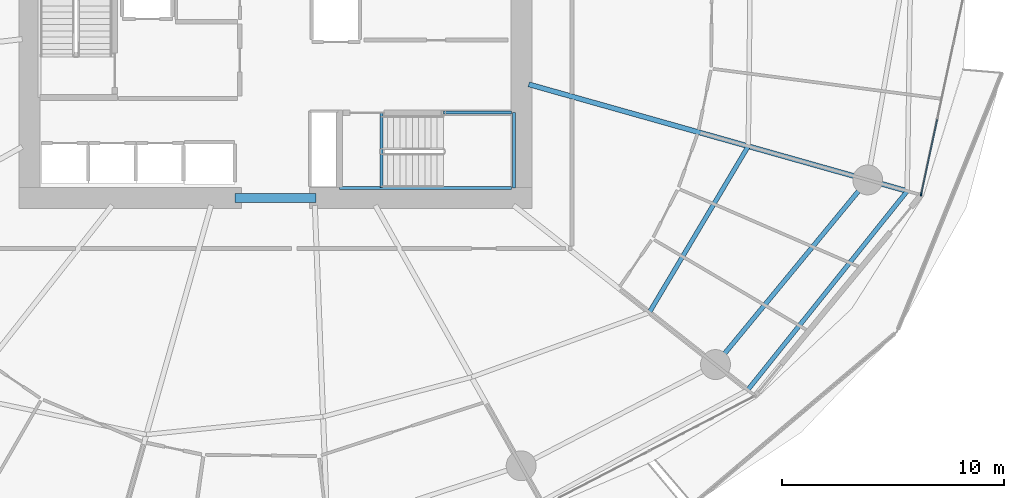
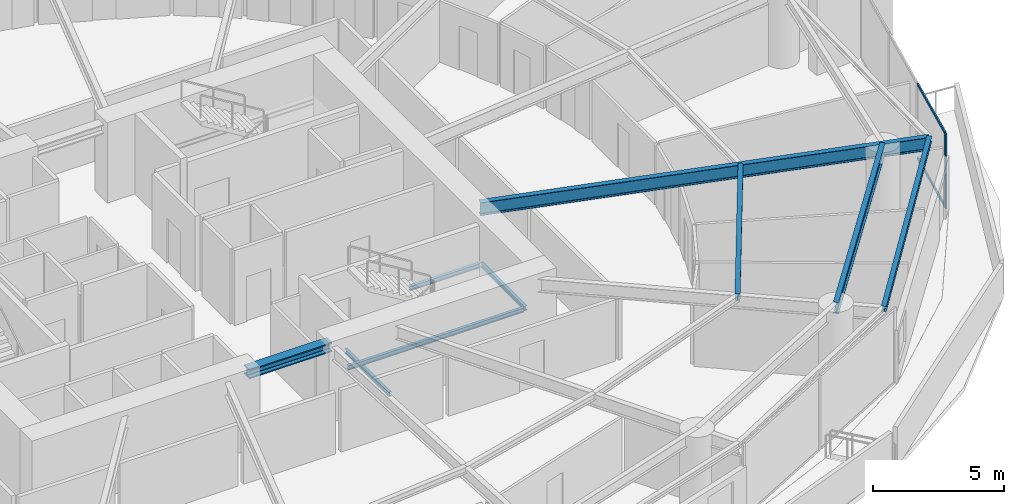
# One storey, part 10 of 31: 9 beams, 3 members, 1 element without a shape of its own.
"""IFC4 building model written with IfcOpenShell, lengths in metres."""

import ifcopenshell
import ifcopenshell.guid

model = None  # the IFC model being written
_history = None  # IfcOwnerHistory: only IFC2X3 demands one
_inside = {}  # id of a spatial element -> (the spatial element, [elements in it])
_under = {}  # id of a project, library or spatial element -> (it, [spatial elements below it])
_declared = {}  # id of a project -> (the project, [libraries it declares])
_typed = {}  # id of a type object -> (the type object, [elements of that type])
_made_of = {}  # id of a material, layer set ... -> (it, [elements and type objects made of it])


def new_model(schema):
    """Start an empty IFC model of exactly this schema.

    Asked for "IFC4X3", IfcOpenShell would pick the latest addendum, in which some entities
    have other attributes; the version numbers below select the first issue.
    IFC2X3 requires an IfcOwnerHistory on every rooted entity: one is made here for all.
    """
    global model, _history
    if schema == "IFC4X3":
        model = ifcopenshell.file(schema_version=(4, 3, 0, 0))
    else:
        model = ifcopenshell.file(schema=schema)
    _inside.clear()
    _under.clear()
    _declared.clear()
    _typed.clear()
    _made_of.clear()
    _history = None
    if model.schema == "IFC2X3":
        org = make("IfcOrganization", Name="unknown")
        user = make(
            "IfcPersonAndOrganization",
            ThePerson=make("IfcPerson", FamilyName="unknown"),
            TheOrganization=org,
        )
        app = make(
            "IfcApplication",
            ApplicationDeveloper=org,
            Version="unknown",
            ApplicationFullName="unknown",
            ApplicationIdentifier="unknown",
        )
        _history = make(
            "IfcOwnerHistory",
            OwningUser=user,
            OwningApplication=app,
            ChangeAction="ADDED",
            CreationDate=0,
        )
    return model


def make(cls, **values):
    """One entity of the class cls with the attributes given. An attribute that is None is left unset."""
    return model.create_entity(
        cls, **{name: value for name, value in values.items() if value is not None}
    )


def rooted(cls, **values):
    """An entity with a GlobalId (a new one), such as an element, a storey or a relation."""
    return make(cls, GlobalId=ifcopenshell.guid.new(), OwnerHistory=_history, **values)


def si_unit(unit_type, name, prefix=None):
    """IfcSIUnit, for example si_unit("LENGTHUNIT", "METRE", prefix="MILLI")."""
    return make("IfcSIUnit", UnitType=unit_type, Prefix=prefix, Name=name)


def assignment(units):
    """IfcUnitAssignment: the units of a project."""
    return None if units is None else make("IfcUnitAssignment", Units=units)


def point(xyz):
    """IfcCartesianPoint."""
    return None if xyz is None else make("IfcCartesianPoint", Coordinates=xyz)


def direction(xyz):
    """IfcDirection."""
    return None if xyz is None else make("IfcDirection", DirectionRatios=xyz)


def frame(location, z_axis=None, x_axis=None):
    """IfcAxis2Placement3D, a coordinate frame: its origin and axes. An axis left out is left unset."""
    return make(
        "IfcAxis2Placement3D",
        Location=point(location),
        Axis=direction(z_axis),
        RefDirection=direction(x_axis),
    )


def frame_2d(location, x_axis=None):
    """IfcAxis2Placement2D, a coordinate frame in the plane: its origin and x axis."""
    return make(
        "IfcAxis2Placement2D", Location=point(location), RefDirection=direction(x_axis)
    )


def origin():
    """The frame at (0, 0, 0) with its axes left unset."""
    return frame((0.0, 0.0, 0.0))


def origin_2d():
    """The frame at (0, 0) in the plane with its x axis left unset."""
    return frame_2d((0.0, 0.0))


def place(relative_to, where):
    """IfcLocalPlacement: puts the frame where relative to a parent placement (None: the world)."""
    return make(
        "IfcLocalPlacement", PlacementRelTo=relative_to, RelativePlacement=where
    )


def context(
    kind, dimensions, precision=None, world=None, true_north=None, identifier=None
):
    """IfcGeometricRepresentationContext, for example the 3D "Model" context."""
    return make(
        "IfcGeometricRepresentationContext",
        ContextIdentifier=identifier,
        ContextType=kind,
        CoordinateSpaceDimension=dimensions,
        Precision=precision,
        WorldCoordinateSystem=world,
        TrueNorth=true_north,
    )


def subcontext(parent, identifier, kind, view, scale=None):
    """IfcGeometricRepresentationSubContext, for example "Body" below "Model"."""
    return make(
        "IfcGeometricRepresentationSubContext",
        ContextIdentifier=identifier,
        ContextType=kind,
        ParentContext=parent,
        TargetScale=scale,
        TargetView=view,
    )


def project(units=None, contexts=None):
    """IfcProject with its units and contexts."""
    return rooted(
        "IfcProject",
        Name="project",
        RepresentationContexts=contexts,
        UnitsInContext=assignment(units),
    )


def spatial(cls, under=None, at=None, **own):
    """A site, building, storey or space (cls), placed at a placement, below another one or the project."""
    s = rooted(cls, ObjectPlacement=at, **own)
    if under is not None:
        _under.setdefault(under.id(), (under, []))[1].append(s)
    return s


def profile(cls, at=None, kind="AREA", **sizes):
    """A parametric profile (cls). Its sizes go by their IFC names, for example OverallWidth=200.0."""
    return make(cls, ProfileType=kind, Position=at, **sizes)


def rectangle(**sizes):
    """IfcRectangleProfileDef."""
    return profile("IfcRectangleProfileDef", **sizes)


def i_section(**sizes):
    """IfcIShapeProfileDef."""
    return profile("IfcIShapeProfileDef", **sizes)


def extrude(swept, where, along, depth):
    """IfcExtrudedAreaSolid: the profile swept, set in the frame where, extruded along a direction by depth."""
    return make(
        "IfcExtrudedAreaSolid",
        SweptArea=swept,
        Position=where,
        ExtrudedDirection=direction(along),
        Depth=depth,
    )


def shape(context_of_items, identifier, shape_type, items):
    """IfcShapeRepresentation: the items that make up one representation, for example the "Body"."""
    return make(
        "IfcShapeRepresentation",
        ContextOfItems=context_of_items,
        RepresentationIdentifier=identifier,
        RepresentationType=shape_type,
        Items=items,
    )


def material(Name=None, Category=None):
    """IfcMaterial."""
    return make("IfcMaterial", Name=Name, Category=Category)


def layer(
    of_material, thickness, ventilated=None, Name=None, Category=None, Priority=None
):
    """IfcMaterialLayer: one layer of a wall or slab, of a material (None: an air gap)."""
    return make(
        "IfcMaterialLayer",
        Material=of_material,
        LayerThickness=thickness,
        IsVentilated=ventilated,
        Name=Name,
        Category=Category,
        Priority=Priority,
    )


def layer_set(layers, Name=None):
    """IfcMaterialLayerSet."""
    return make("IfcMaterialLayerSet", MaterialLayers=layers, LayerSetName=Name)


def material_profile(
    of_material, cross_section, Name=None, Category=None, Priority=None
):
    """IfcMaterialProfile: a cross section and its material."""
    return make(
        "IfcMaterialProfile",
        Name=Name,
        Material=of_material,
        Profile=cross_section,
        Priority=Priority,
        Category=Category,
    )


def profile_set(profiles, Name=None, composite=None):
    """IfcMaterialProfileSet."""
    return make(
        "IfcMaterialProfileSet",
        Name=Name,
        MaterialProfiles=profiles,
        CompositeProfile=composite,
    )


def made_of(thing, what):
    """Note that an element or type object is made of a material, layer set ...; save() writes the relation."""
    if what is not None:
        _made_of.setdefault(what.id(), (what, []))[1].append(thing)
    return thing


def type_object(cls, material=None, **own):
    """A type object (cls), such as IfcWallType, which elements share."""
    return made_of(rooted(cls, **own), material)


def element(
    cls,
    number,
    at=None,
    inside=None,
    cuts=None,
    type_object=None,
    material=None,
    context=None,
    identifier="Body",
    shape_type=None,
    held_by="IfcProductDefinitionShape",
    body=None,
    shapes=None,
    **own,
):
    """One element of the class cls, such as IfcWall. Its Tag is "e" and its number.

    at: its placement. inside: the storey or other place that contains it. cuts: it is an
    opening in that element (IfcRelVoidsElement). A single representation is given by context,
    identifier, shape_type and body (its items); several are given by shapes. held_by: the class
    of the entity that holds the representations. save() writes the other relations.
    """
    e = rooted(cls, Tag="e%d" % number, ObjectPlacement=at, **own)
    if body is not None:
        shapes = [shape(context, identifier, shape_type, body)]
    if shapes is not None:
        e.Representation = make(held_by, Representations=shapes)
    if inside is not None:
        _inside.setdefault(inside.id(), (inside, []))[1].append(e)
    if cuts is not None:
        rooted(
            "IfcRelVoidsElement", RelatingBuildingElement=cuts, RelatedOpeningElement=e
        )
    if type_object is not None:
        _typed.setdefault(type_object.id(), (type_object, []))[1].append(e)
    return made_of(e, material)


def aggregate(whole, parts):
    """IfcRelAggregates: a whole, such as a stair, and the parts it consists of."""
    return rooted("IfcRelAggregates", RelatingObject=whole, RelatedObjects=parts)


def save(model, path):
    """Write the relations noted so far, then the file.

    IfcRelAggregates (storeys below a building ...), IfcRelContainedInSpatialStructure (elements
    in a storey), IfcRelDefinesByType, IfcRelAssociatesMaterial and IfcRelDeclares: one each for
    every whole, place, type object, material and project.
    """
    for whole, parts in _under.values():
        aggregate(whole, parts)
    for where, things in _inside.values():
        rooted(
            "IfcRelContainedInSpatialStructure",
            RelatedElements=things,
            RelatingStructure=where,
        )
    for kind, things in _typed.values():
        rooted("IfcRelDefinesByType", RelatedObjects=things, RelatingType=kind)
    for what, things in _made_of.values():
        rooted("IfcRelAssociatesMaterial", RelatedObjects=things, RelatingMaterial=what)
    for by, libraries in _declared.values():
        rooted("IfcRelDeclares", RelatingContext=by, RelatedDefinitions=libraries)
    model.write(path)


model = new_model("IFC4")

# Units and contexts
model_context = context("Model", 3, precision=1e-05, world=origin(), true_north=direction((0.0, 1.0)))
body_context = subcontext(model_context, "Body", "Model", "MODEL_VIEW")
ifc_project = project(units=[si_unit("LENGTHUNIT", "METRE"), si_unit("AREAUNIT", "SQUARE_METRE"), si_unit("VOLUMEUNIT", "CUBIC_METRE"), si_unit("PLANEANGLEUNIT", "RADIAN"), si_unit("MASSUNIT", "GRAM", prefix="KILO")], contexts=[model_context])

# Site, building, storey
site_placement = place(None, origin())
site = spatial("IfcSite", under=ifc_project, at=site_placement, CompositionType="ELEMENT")
building_placement = place(site_placement, origin())
building = spatial("IfcBuilding", under=site, at=building_placement, Name="Kazma Halo Residences", CompositionType="ELEMENT")
storey_placement = place(building_placement, frame((0.0, 0.0, 37.64990234375)))
storey = spatial("IfcBuildingStorey", under=building, at=storey_placement, Name="L08", CompositionType="ELEMENT", Elevation=37.64990234375)

# Beams
ifc_material_1 = material(Name="Steel S355", Category="steel")
ifc_material_profile_1 = material_profile(ifc_material_1, i_section(OverallWidth=0.201904296875, OverallDepth=0.2470703125, WebThickness=0.00732421875, FlangeThickness=0.010986328125, FilletRadius=0.011962890625, at=origin_2d()), Name="W250x49.1")
ifc_profile_set_1 = profile_set([ifc_material_profile_1], Name="Steel S355")
beam_type_1 = type_object("IfcBeamType", Name="BM-BAL-CANT", PredefinedType="BEAM", material=ifc_profile_set_1)
beam_1_placement = place(storey_placement, frame((69.728515625, 24.87060546875, 3.376708984375), z_axis=(0.625476617708, 0.780242911343, 0.0), x_axis=(-0.780242911343, 0.625476617708, 0.0)))
element("IfcBeam", 1, at=beam_1_placement, inside=storey, type_object=beam_type_1, Name="L08 wave-balcony tie beam 14", PredefinedType="BEAM", context=body_context, shape_type="SweptSolid", body=[
    extrude(i_section(OverallWidth=0.201904296875, OverallDepth=0.2470703125, WebThickness=0.00732421875, FlangeThickness=0.010986328125, FilletRadius=0.011962890625, at=origin_2d()), origin(), (0.0, 0.0, 1.0), 11.499755859375),
])
ifc_material_profile_2 = material_profile(ifc_material_1, i_section(OverallWidth=0.408935546875, OverallDepth=0.425048828125, WebThickness=0.03271484375, FlangeThickness=0.052490234375, FilletRadius=0.02001953125, at=origin_2d()), Name="W360x421")
ifc_profile_set_2 = profile_set([ifc_material_profile_2], Name="Steel S355")
beam_type_2 = type_object("IfcBeamType", Name="BM-CORE-W360H", PredefinedType="BEAM", material=ifc_profile_set_2)
beam_2_placement = place(storey_placement, frame((46.60009765625, 33.52490234375, 3.28759765625), z_axis=(1.0, 0.0, 0.0), x_axis=(0.0, 1.0, 0.0)))
element("IfcBeam", 2, at=beam_2_placement, inside=storey, type_object=beam_type_2, Name="L08 core coupling beam S", PredefinedType="BEAM", context=body_context, shape_type="SweptSolid", body=[
    extrude(i_section(OverallWidth=0.408935546875, OverallDepth=0.425048828125, WebThickness=0.03271484375, FlangeThickness=0.052490234375, FilletRadius=0.02001953125, at=origin_2d()), origin(), (0.0, 0.0, 1.0), 3.64990234375),
])
ifc_material_profile_3 = material_profile(ifc_material_1, i_section(OverallWidth=0.22802734375, OverallDepth=0.60791015625, WebThickness=0.01123046875, FlangeThickness=0.017333984375, FilletRadius=0.01806640625, at=origin_2d()), Name="W610x113")
ifc_profile_set_3 = profile_set([ifc_material_profile_3], Name="Steel S355")
beam_type_3 = type_object("IfcBeamType", Name="BM-RAD-W610", PredefinedType="BEAM", material=ifc_profile_set_3)
beam_3_placement = place(storey_placement, frame((59.85009765625, 38.657958984375, 3.196044921875), z_axis=(0.962453825278, -0.271445453468, 0.0), x_axis=(0.271445453468, 0.962453825278, 0.0)))
element("IfcBeam", 3, at=beam_3_placement, inside=storey, type_object=beam_type_3, Name="L08 radial floor beam 15", PredefinedType="BEAM", context=body_context, shape_type="SweptSolid", body=[
    extrude(i_section(OverallWidth=0.22802734375, OverallDepth=0.60791015625, WebThickness=0.01123046875, FlangeThickness=0.017333984375, FilletRadius=0.01806640625, at=origin_2d()), origin(), (0.0, 0.0, 1.0), 17.7373046875),
])
ifc_material_profile_4 = material_profile(ifc_material_1, i_section(OverallWidth=0.202880859375, OverallDepth=0.302978515625, WebThickness=0.007568359375, FlangeThickness=0.01318359375, FilletRadius=0.013916015625, at=origin_2d()), Name="W310x60")
ifc_profile_set_4 = profile_set([ifc_material_profile_4], Name="Steel S355")
beam_type_4 = type_object("IfcBeamType", Name="BM-SEC-W310A", PredefinedType="JOIST", material=ifc_profile_set_4)
beam_4_placement = place(storey_placement, frame((65.291015625, 28.368896484375, 3.3486328125), z_axis=(0.511331320511, 0.859383663252, 0.0), x_axis=(-0.859383663252, 0.511331320511, 0.0)))
element("IfcBeam", 4, at=beam_4_placement, inside=storey, type_object=beam_type_4, Name="L08 circumferential floor joist 14", PredefinedType="JOIST", context=body_context, shape_type="SweptSolid", body=[
    extrude(i_section(OverallWidth=0.202880859375, OverallDepth=0.302978515625, WebThickness=0.007568359375, FlangeThickness=0.01318359375, FilletRadius=0.013916015625, at=origin_2d()), origin(), (0.0, 0.0, 1.0), 8.72314453125),
])
ifc_material_profile_5 = material_profile(ifc_material_1, i_section(OverallWidth=0.208984375, OverallDepth=0.532958984375, WebThickness=0.01025390625, FlangeThickness=0.015625, FilletRadius=0.01611328125, at=origin_2d()), Name="W530x92")
ifc_profile_set_5 = profile_set([ifc_material_profile_5], Name="Steel S355")
beam_type_5 = type_object("IfcBeamType", Name="BM-SPN-W530", PredefinedType="BEAM", material=ifc_profile_set_5)
beam_5_placement = place(storey_placement, frame((68.27587890625, 26.015869140625, 3.233642578125), z_axis=(0.636001336663, 0.771687954916, 0.0), x_axis=(-0.771687954916, 0.636001336663, 0.0)))
element("IfcBeam", 5, at=beam_5_placement, inside=storey, type_object=beam_type_5, Name="L08 perimeter ring beam 14", PredefinedType="BEAM", context=body_context, shape_type="SweptSolid", body=[
    extrude(i_section(OverallWidth=0.208984375, OverallDepth=0.532958984375, WebThickness=0.01025390625, FlangeThickness=0.015625, FilletRadius=0.01611328125, at=origin_2d()), origin(), (0.0, 0.0, 1.0), 10.7939453125),
])
ifc_material_profile_6 = material_profile(ifc_material_1, i_section(OverallWidth=0.133056640625, OverallDepth=0.20703125, WebThickness=0.005859375, FlangeThickness=0.00830078125, FilletRadius=0.010009765625, at=origin_2d()), Name="W200x26.6")
ifc_profile_set_6 = profile_set([ifc_material_profile_6], Name="Steel S355")
beam_type_6 = type_object("IfcBeamType", Name="BM-TRIM-W200", PredefinedType="BEAM", material=ifc_profile_set_6)
beam_6_placement = place(storey_placement, frame((53.199951171875, 34.0, -0.35986328125), z_axis=(0.0, 1.0, 0.0), x_axis=(-1.0, 0.0, 0.0)))
element("IfcBeam", 6, at=beam_6_placement, inside=storey, type_object=beam_type_6, Name="L08 ST-03 floor landing support beam", PredefinedType="BEAM", context=body_context, shape_type="SweptSolid", body=[
    extrude(i_section(OverallWidth=0.133056640625, OverallDepth=0.20703125, WebThickness=0.005859375, FlangeThickness=0.00830078125, FilletRadius=0.010009765625, at=origin_2d()), origin(), (0.0, 0.0, 1.0), 3.3798828125),
])
beam_7_placement = place(storey_placement, frame((51.31005859375, 33.97998046875, 1.570068359375), z_axis=(1.0, 0.0, 0.0), x_axis=(0.0, 1.0, 0.0)))
element("IfcBeam", 7, at=beam_7_placement, inside=storey, type_object=beam_type_6, Name="L08 ST-03 landing south wall ledger", PredefinedType="BEAM", context=body_context, shape_type="SweptSolid", body=[
    extrude(i_section(OverallWidth=0.133056640625, OverallDepth=0.20703125, WebThickness=0.005859375, FlangeThickness=0.00830078125, FilletRadius=0.010009765625, at=origin_2d()), origin(), (0.0, 0.0, 1.0), 7.760009765625),
])
beam_8_placement = place(storey_placement, frame((56.0, 37.3798828125, 1.570068359375), z_axis=(1.0, 0.0, 0.0), x_axis=(0.0, 1.0, 0.0)))
element("IfcBeam", 8, at=beam_8_placement, inside=storey, type_object=beam_type_6, Name="L08 ST-03 landing north wall ledger", PredefinedType="BEAM", context=body_context, shape_type="SweptSolid", body=[
    extrude(i_section(OverallWidth=0.133056640625, OverallDepth=0.20703125, WebThickness=0.005859375, FlangeThickness=0.00830078125, FilletRadius=0.010009765625, at=origin_2d()), origin(), (0.0, 0.0, 1.0), 3.070068359375),
])
beam_9_placement = place(storey_placement, frame((59.18994140625, 33.97998046875, 1.570068359375), z_axis=(0.0, 1.0, 0.0), x_axis=(-1.0, 0.0, 0.0)))
element("IfcBeam", 9, at=beam_9_placement, inside=storey, type_object=beam_type_6, Name="L08 ST-03 landing end wall ledger", PredefinedType="BEAM", context=body_context, shape_type="SweptSolid", body=[
    extrude(i_section(OverallWidth=0.133056640625, OverallDepth=0.20703125, WebThickness=0.005859375, FlangeThickness=0.00830078125, FilletRadius=0.010009765625, at=origin_2d()), origin(), (0.0, 0.0, 1.0), 3.39990234375),
])

# Curtain wall, members
ifc_material_2 = material(Name="Aluminium AW-6063 T6 and Triple-Silver Low-E Glass", Category="aluminium")
ifc_layer = layer(ifc_material_2, 0.159912109375)
ifc_layer_set = layer_set([ifc_layer], Name="Aluminium AW-6063 T6 and Triple-Silver Low-E Glass")
curtain_wall_type = type_object("IfcCurtainWallType", Name="CW-SYS-2", PredefinedType="NOTDEFINED", material=ifc_layer_set)
curtain_wall_placement = place(storey_placement, origin())
curtain_wall = element("IfcCurtainWall", 10, at=curtain_wall_placement, inside=storey, type_object=curtain_wall_type, Name="L08 unitised curtain wall B15", PredefinedType="NOTDEFINED")
ifc_material_3 = material(Name="Aluminium AW-6063 T6", Category="aluminium")
ifc_material_profile_7 = material_profile(ifc_material_3, rectangle(XDim=0.06005859375, YDim=0.159912109375, at=origin_2d()), Name="CWM-60x160")
ifc_profile_set_7 = profile_set([ifc_material_profile_7], Name="Aluminium AW-6063 T6")
member_type_1 = type_object("IfcMemberType", Name="CW-SYS-2-MUL", PredefinedType="MULLION", material=ifc_profile_set_7)
member_1_placement = place(storey_placement, frame((77.552978515625, 33.6962890625, 0.0), z_axis=(0.0, 0.0, 1.0), x_axis=(-0.977779215096, 0.209637321406, 0.0)))
member_1 = element("IfcMember", 11, at=member_1_placement, type_object=member_type_1, Name="CWS-2 mullion 1", PredefinedType="MULLION", context=body_context, shape_type="SweptSolid", body=[
    extrude(rectangle(XDim=0.06005859375, YDim=0.159912109375, at=origin_2d()), origin(), (0.0, 0.0, 1.0), 3.5),
])
ifc_material_profile_8 = material_profile(ifc_material_3, rectangle(XDim=0.06005859375, YDim=0.1201171875, at=origin_2d()), Name="CWT-60x120")
ifc_profile_set_8 = profile_set([ifc_material_profile_8], Name="Aluminium AW-6063 T6")
member_type_2 = type_object("IfcMemberType", Name="CW-SYS-2-TRN", PredefinedType="USERDEFINED", material=ifc_profile_set_8)
member_2_placement = place(storey_placement, frame((77.559326171875, 33.7255859375, 0.030029296875), z_axis=(0.209650877007, 0.977776308657, 0.0), x_axis=(-0.977776308657, 0.209650877007, 0.0)))
member_2 = element("IfcMember", 12, at=member_2_placement, type_object=member_type_2, Name="CWS-2 transom 1.1", ObjectType="TRANSOM", PredefinedType="USERDEFINED", context=body_context, shape_type="SweptSolid", body=[
    extrude(rectangle(XDim=0.06005859375, YDim=0.1201171875, at=origin_2d()), origin(), (0.0, 0.0, 1.0), 3.422607421875),
])
member_3_placement = place(storey_placement, frame((77.559326171875, 33.7255859375, 3.47021484375), z_axis=(0.209650877007, 0.977776308657, 0.0), x_axis=(-0.977776308657, 0.209650877007, 0.0)))
member_3 = element("IfcMember", 13, at=member_3_placement, type_object=member_type_2, Name="CWS-2 transom 1.2", ObjectType="TRANSOM", PredefinedType="USERDEFINED", context=body_context, shape_type="SweptSolid", body=[
    extrude(rectangle(XDim=0.06005859375, YDim=0.1201171875, at=origin_2d()), origin(), (0.0, 0.0, 1.0), 3.422607421875),
])
aggregate(curtain_wall, [member_1, member_2, member_3])

save(model, "model.ifc")
